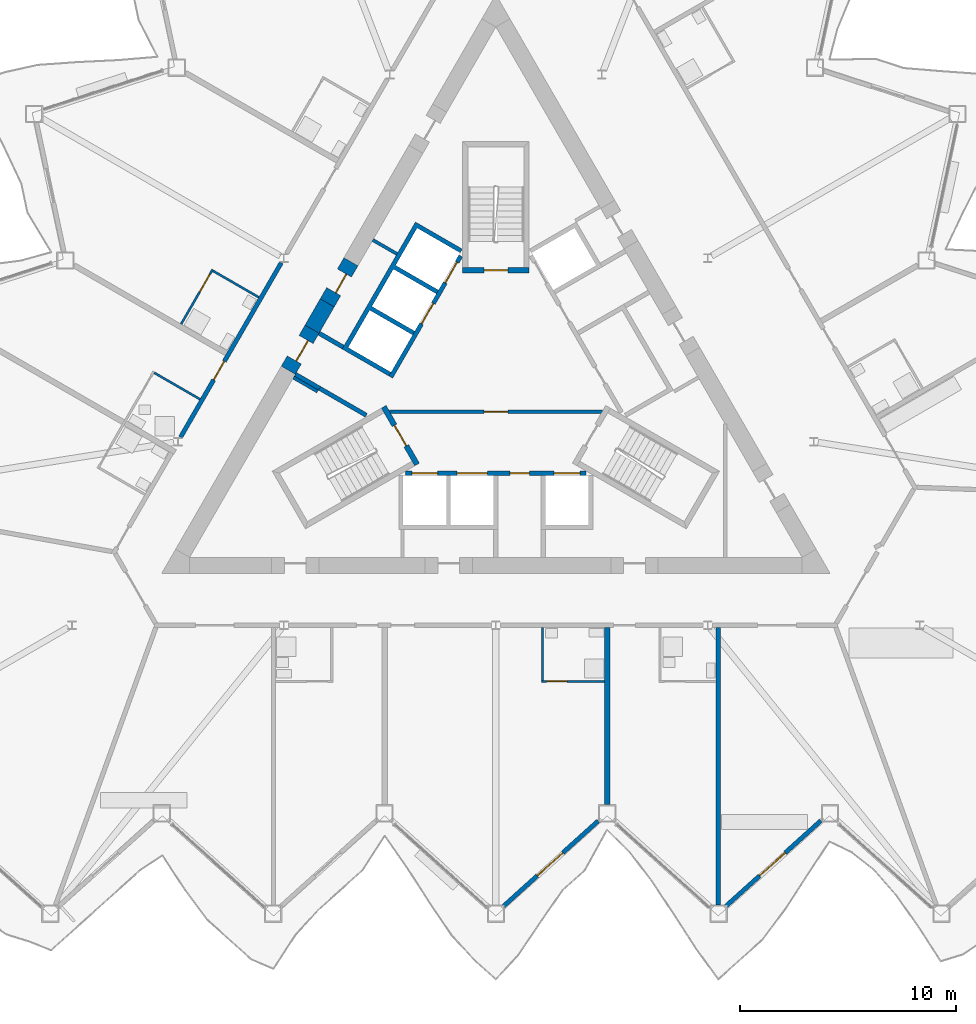
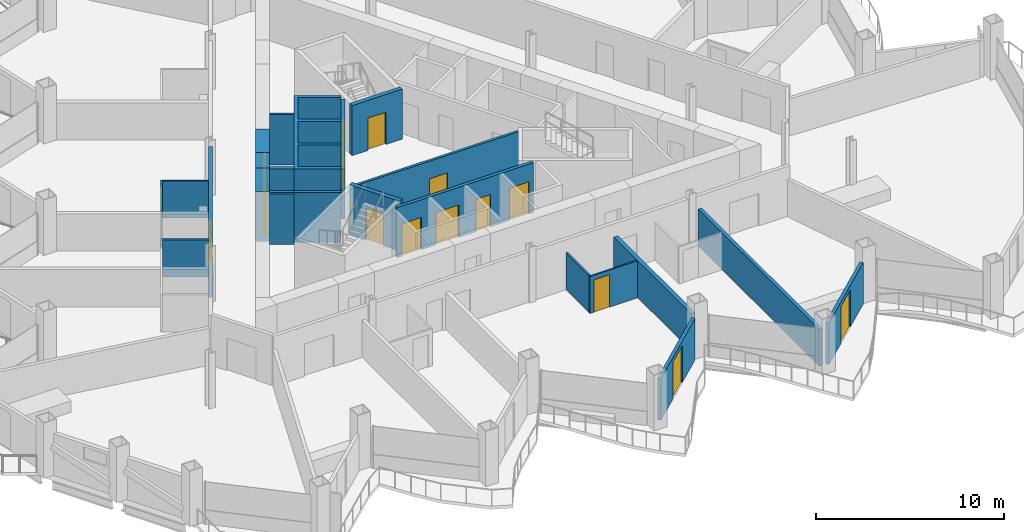
# One storey, part 12 of 23: 24 walls, 16 doors, 16 openings.
"""IFC4 building model written with IfcOpenShell, lengths in metres."""

from ifc_helpers import new_model, si_unit, direction, frame, frame_2d, origin, place, context, subcontext, project, spatial, polyline, rectangle, outline, extrude, material, layer, layer_set, type_object, element, fill, save


model = new_model("IFC4")

# Units and contexts
model_context = context("Model", 3, precision=1e-05, world=origin(), true_north=direction((0.0, 1.0)))
body_context = subcontext(model_context, "Body", "Model", "MODEL_VIEW")
ifc_project = project(units=[si_unit("LENGTHUNIT", "METRE"), si_unit("AREAUNIT", "SQUARE_METRE"), si_unit("VOLUMEUNIT", "CUBIC_METRE"), si_unit("PLANEANGLEUNIT", "RADIAN"), si_unit("MASSUNIT", "GRAM", prefix="KILO")], contexts=[model_context])

# Site, building, storey
site_placement = place(None, origin())
site = spatial("IfcSite", under=ifc_project, at=site_placement, CompositionType="ELEMENT")
building_placement = place(site_placement, origin())
building = spatial("IfcBuilding", under=site, at=building_placement, Name="Cormorant Prow Tower", CompositionType="ELEMENT")
storey_placement = place(building_placement, frame((0.0, 0.0, 208.800048828125)))
storey = spatial("IfcBuildingStorey", under=building, at=storey_placement, Name="L46", CompositionType="ELEMENT", Elevation=208.800048828125)

# Wall, opening, door
ifc_material_1 = material(Name="Gypsum board partition")
ifc_layer_1 = layer(ifc_material_1, 0.14990234375)
ifc_layer_set_1 = layer_set([ifc_layer_1], Name="Gypsum board partition")
wall_type_1 = type_object("IfcWallType", Name="Core partition 150", PredefinedType="PARTITIONING", material=ifc_layer_set_1)
wall_1_placement = place(storey_placement, frame((-4.941162109375, -1.449951171875, 0.0), z_axis=(0.0, 0.0, 1.0), x_axis=(1.0, 0.0, 0.0)))
wall_1 = element("IfcWall", 1, at=wall_1_placement, inside=storey, type_object=wall_type_1, Name="Firefighting lobby partition", PredefinedType="PARTITIONING", context=body_context, shape_type="SweptSolid", body=[
    extrude(rectangle(XDim=9.88232421875, YDim=0.14990234375, at=frame_2d((4.941162109375, 0.0))), origin(), (0.0, 0.0, 1.0), 3.25),
])
opening_1_placement = place(wall_1_placement, frame((4.39111328125, 0.0, 0.0)))
opening_1 = element("IfcOpeningElement", 2, at=opening_1_placement, cuts=wall_1, Name="Opening L46-C10", PredefinedType="OPENING", context=body_context, shape_type="SweptSolid", body=[
    extrude(rectangle(XDim=1.10009765625, YDim=2.10009765625, at=frame_2d((0.550048828125, 1.050048828125))), frame((0.0, 0.0849609375, 0.0), z_axis=(0.0, -1.0, 0.0), x_axis=(1.0, 0.0, 0.0)), (0.0, 0.0, 1.0), 0.169921875),
])
ifc_material_2 = material(Name="Painted steel", Category="steel")
door_type_1 = type_object("IfcDoorType", Name="Firefighting lobby door 1100x2100", OperationType="NOTDEFINED", PredefinedType="DOOR", material=ifc_material_2)
door_1_placement = place(opening_1_placement, origin())
door_1 = element("IfcDoor", 3, at=door_1_placement, inside=storey, type_object=door_type_1, Name="Firefighting lobby door", OperationType="SINGLE_SWING_LEFT", OverallHeight=2.10009765625, OverallWidth=1.10009765625, PredefinedType="DOOR", context=body_context, shape_type="SweptSolid", body=[
    extrude(rectangle(XDim=1.10009765625, YDim=2.10009765625, at=frame_2d((0.550048828125, 1.050048828125))), frame((0.0, 0.02490234375, 0.0), z_axis=(0.0, -1.0, 0.0), x_axis=(1.0, 0.0, 0.0)), (0.0, 0.0, 1.0), 0.050048828125),
])
fill(opening_1, door_1)

# Walls
for number, where, z_axis, x_axis, name in (
    (4, (-8.268310546875, -0.509033203125, 0.0), (0.0, 0.0, 1.0), (-0.866003189247, 0.500038474733, 0.0), "Service room partition"),
    (5, (-5.705322265625, 6.515869140625, 0.0), (0.0, 0.0, 1.0), (0.866003189247, -0.500038474733, 0.0), "Service room partition"),
):
    element("IfcWall", number, at=place(storey_placement, frame(where, z_axis=z_axis, x_axis=x_axis)), inside=storey, type_object=wall_type_1, Name=name, PredefinedType="PARTITIONING", context=body_context, shape_type="SweptSolid", body=[
        extrude(rectangle(XDim=1.29296875, YDim=0.14990234375, at=frame_2d((0.646484375, 0.0))), origin(), (0.0, 0.0, 1.0), 3.25),
    ])
ifc_material_3 = material(Name="Concrete 8000 psi", Category="concrete")
ifc_layer_2 = layer(ifc_material_3, 0.75)
ifc_layer_set_2 = layer_set([ifc_layer_2], Name="Concrete 8000 psi")
wall_type_2 = type_object("IfcWallType", Name="Core shear wall 750", PredefinedType="SHEAR", material=ifc_layer_set_2)
wall_2_placement = place(storey_placement, frame((-7.8212890625, 3.600830078125, 0.0), z_axis=(0.0, 0.0, 1.0), x_axis=(-0.49996263964, -0.866046972724, 0.0)))
element("IfcWall", 6, at=wall_2_placement, inside=storey, type_object=wall_type_2, Name="Core wall", PredefinedType="SHEAR", context=body_context, shape_type="SweptSolid", body=[
    extrude(rectangle(XDim=1.40771484375, YDim=0.75, at=frame_2d((0.703857421875, 0.0))), origin(), (0.0, 0.0, 1.0), 3.25),
])

# Wall, opening, door
wall_3_placement = place(storey_placement, frame((-6.721435546875, 5.506103515625, 0.0), z_axis=(0.0, 0.0, 1.0), x_axis=(-0.499946605688, -0.86605622881, 0.0)))
wall_3 = element("IfcWall", 7, at=wall_3_placement, inside=storey, type_object=wall_type_2, Name="Core wall door panel", PredefinedType="SHEAR", context=body_context, shape_type="SweptSolid", body=[
    extrude(rectangle(XDim=2.199951171875, YDim=0.75, at=frame_2d((1.10009765625, 0.0))), origin(), (0.0, 0.0, 1.0), 3.25),
])
opening_2_placement = place(wall_3_placement, frame((0.60009765625, 0.0, 0.0)))
opening_2 = element("IfcOpeningElement", 8, at=opening_2_placement, cuts=wall_3, Name="Opening L46-C19", PredefinedType="OPENING", context=body_context, shape_type="SweptSolid", body=[
    extrude(rectangle(XDim=1.0, YDim=2.10009765625, at=frame_2d((0.5, 1.050048828125))), frame((0.0, 0.385009765625, 0.0), z_axis=(0.0, -1.0, 0.0), x_axis=(1.0, 0.0, 0.0)), (0.0, 0.0, 1.0), 0.77001953125),
])
ifc_material_4 = material(Name="Painted steel", Category="steel")
door_type_2 = type_object("IfcDoorType", Name="Service door 1000x2100", OperationType="NOTDEFINED", PredefinedType="DOOR", material=ifc_material_4)
door_2_placement = place(opening_2_placement, origin())
door_2 = element("IfcDoor", 9, at=door_2_placement, inside=storey, type_object=door_type_2, Name="Core door, Electrical room", OperationType="SINGLE_SWING_LEFT", OverallHeight=2.10009765625, OverallWidth=1.0, PredefinedType="DOOR", context=body_context, shape_type="SweptSolid", body=[
    extrude(rectangle(XDim=1.0, YDim=2.10009765625, at=frame_2d((0.5, 1.050048828125))), frame((0.0, 0.1298828125, 0.0), z_axis=(0.0, -1.0, 0.0), x_axis=(1.0, 0.0, 0.0)), (0.0, 0.0, 1.0), 0.050048828125),
])
fill(opening_2, door_2)

wall_4_placement = place(storey_placement, frame((-8.525146484375, 2.381591796875, 0.0), z_axis=(0.0, 0.0, 1.0), x_axis=(-0.500077893725, -0.86598042715, 0.0)))
wall_4 = element("IfcWall", 10, at=wall_4_placement, inside=storey, type_object=wall_type_2, Name="Core wall door panel", PredefinedType="SHEAR", context=body_context, shape_type="SweptSolid", body=[
    extrude(rectangle(XDim=2.199951171875, YDim=0.75, at=frame_2d((1.10009765625, 0.0))), origin(), (0.0, 0.0, 1.0), 3.25),
])
opening_3_placement = place(wall_4_placement, frame((0.550048828125, 0.0, 0.0)))
opening_3 = element("IfcOpeningElement", 11, at=opening_3_placement, cuts=wall_4, Name="Opening L46-C22", PredefinedType="OPENING", context=body_context, shape_type="SweptSolid", body=[
    extrude(rectangle(XDim=1.10009765625, YDim=2.10009765625, at=frame_2d((0.550048828125, 1.050048828125))), frame((0.0, 0.385009765625, 0.0), z_axis=(0.0, -1.0, 0.0), x_axis=(1.0, 0.0, 0.0)), (0.0, 0.0, 1.0), 0.77001953125),
])
ifc_material_5 = material(Name="Painted steel", Category="steel")
door_type_3 = type_object("IfcDoorType", Name="Core door 1100x2100", OperationType="NOTDEFINED", PredefinedType="DOOR", material=ifc_material_5)
door_3_placement = place(opening_3_placement, origin())
door_3 = element("IfcDoor", 12, at=door_3_placement, inside=storey, type_object=door_type_3, Name="Core door, lift lobby", OperationType="SINGLE_SWING_RIGHT", OverallHeight=2.10009765625, OverallWidth=1.10009765625, PredefinedType="DOOR", context=body_context, shape_type="SweptSolid", body=[
    extrude(rectangle(XDim=1.10009765625, YDim=2.10009765625, at=frame_2d((0.550048828125, 1.050048828125))), frame((0.0, 0.1298828125, 0.0), z_axis=(0.0, -1.0, 0.0), x_axis=(1.0, 0.0, 0.0)), (0.0, 0.0, 1.0), 0.050048828125),
])
fill(opening_3, door_3)

ifc_material_6 = material(Name="Gypsum board corridor wall")
ifc_layer_3 = layer(ifc_material_6, 0.199951171875)
ifc_layer_set_3 = layer_set([ifc_layer_3], Name="Gypsum board corridor wall")
wall_type_3 = type_object("IfcWallType", Name="Corridor wall 200", PredefinedType="PARTITIONING", material=ifc_layer_set_3)
wall_5_placement = place(storey_placement, frame((-14.619384765625, -2.62353515625, 0.0), z_axis=(0.0, 0.0, 1.0), x_axis=(0.50000393355, 0.866023132736, 0.0)))
wall_5 = element("IfcWall", 13, at=wall_5_placement, inside=storey, type_object=wall_type_3, Name="Corridor wall", PredefinedType="PARTITIONING", context=body_context, shape_type="SweptSolid", body=[
    extrude(rectangle(XDim=9.3349609375, YDim=0.199951171875, at=frame_2d((4.66748046875, 0.0))), origin(), (0.0, 0.0, 1.0), 3.25),
])
opening_4_placement = place(wall_5_placement, frame((3.0625, 0.0, 0.0)))
opening_4 = element("IfcOpeningElement", 14, at=opening_4_placement, cuts=wall_5, Name="Opening L46-F23", PredefinedType="OPENING", context=body_context, shape_type="SweptSolid", body=[
    extrude(rectangle(XDim=1.0, YDim=2.10009765625, at=frame_2d((0.5, 1.050048828125))), frame((0.0, 0.10986328125, 0.0), z_axis=(0.0, -1.0, 0.0), x_axis=(1.0, 0.0, 0.0)), (0.0, 0.0, 1.0), 0.219970703125),
])
ifc_material_7 = material(Name="Timber door leaf", Category="wood")
door_type_4 = type_object("IfcDoorType", Name="Flat or room entrance door 1000x2100", OperationType="NOTDEFINED", PredefinedType="DOOR", material=ifc_material_7)
door_4_placement = place(opening_4_placement, origin())
door_4 = element("IfcDoor", 15, at=door_4_placement, inside=storey, type_object=door_type_4, Name="Guest room door", OperationType="SINGLE_SWING_RIGHT", OverallHeight=2.10009765625, OverallWidth=1.0, PredefinedType="DOOR", context=body_context, shape_type="SweptSolid", body=[
    extrude(rectangle(XDim=1.0, YDim=2.10009765625, at=frame_2d((0.5, 1.050048828125))), frame((0.0, 0.02490234375, 0.0), z_axis=(0.0, -1.0, 0.0), x_axis=(1.0, 0.0, 0.0)), (0.0, 0.0, 1.0), 0.050048828125),
])
fill(opening_4, door_4)

# Wall
ifc_material_8 = material(Name="Gypsum board demising wall")
ifc_layer_4 = layer(ifc_material_8, 0.199951171875)
ifc_layer_set_4 = layer_set([ifc_layer_4], Name="Gypsum board demising wall")
wall_type_4 = type_object("IfcWallType", Name="Demising wall 200", PredefinedType="PARTITIONING", material=ifc_layer_set_4)
wall_6_placement = place(storey_placement, frame((10.311279296875, -24.3115234375, 0.0), z_axis=(0.0, 0.0, 1.0), x_axis=(0.0, 1.0, 0.0)))
element("IfcWall", 16, at=wall_6_placement, inside=storey, type_object=wall_type_4, Name="Demising wall", PredefinedType="PARTITIONING", context=body_context, shape_type="SweptSolid", body=[
    extrude(rectangle(XDim=12.862548828125, YDim=0.199951171875, at=frame_2d((6.43115234375, 0.0))), origin(), (0.0, 0.0, 1.0), 2.404052734375),
])

# Wall, opening, door
ifc_material_9 = material(Name="Gypsum board partition")
ifc_layer_5 = layer(ifc_material_9, 0.10009765625)
ifc_layer_set_5 = layer_set([ifc_layer_5], Name="Gypsum board partition")
wall_type_5 = type_object("IfcWallType", Name="Internal partition 100", PredefinedType="PARTITIONING", material=ifc_layer_set_5)
wall_7_placement = place(storey_placement, frame((2.105712890625, -13.948974609375, 0.0), z_axis=(0.0, 0.0, 1.0), x_axis=(1.0, 0.0, 0.0)))
wall_7 = element("IfcWall", 17, at=wall_7_placement, inside=storey, type_object=wall_type_5, Name="Internal partition", PredefinedType="PARTITIONING", context=body_context, shape_type="SweptSolid", body=[
    extrude(rectangle(XDim=2.9248046875, YDim=0.10009765625, at=frame_2d((1.46240234375, 0.0))), origin(), (0.0, 0.0, 1.0), 2.404052734375),
])
opening_5_placement = place(wall_7_placement, frame((0.25, 0.0, 0.0)))
opening_5 = element("IfcOpeningElement", 18, at=opening_5_placement, cuts=wall_7, Name="Opening L46-F05", PredefinedType="OPENING", context=body_context, shape_type="SweptSolid", body=[
    extrude(rectangle(XDim=0.949951171875, YDim=2.10009765625, at=frame_2d((0.47509765625, 1.050048828125))), frame((0.0, 0.06005859375, 0.0), z_axis=(0.0, -1.0, 0.0), x_axis=(1.0, 0.0, 0.0)), (0.0, 0.0, 1.0), 0.1201171875),
])
ifc_material_10 = material(Name="Timber door leaf", Category="wood")
door_type_5 = type_object("IfcDoorType", Name="Bathroom door 950x2100", OperationType="NOTDEFINED", PredefinedType="DOOR", material=ifc_material_10)
door_5_placement = place(opening_5_placement, origin())
door_5 = element("IfcDoor", 19, at=door_5_placement, inside=storey, type_object=door_type_5, Name="Junior suite door", OperationType="SINGLE_SWING_LEFT", OverallHeight=2.10009765625, OverallWidth=0.949951171875, PredefinedType="DOOR", context=body_context, shape_type="SweptSolid", body=[
    extrude(rectangle(XDim=0.949951171875, YDim=2.10009765625, at=frame_2d((0.47509765625, 1.050048828125))), frame((0.0, 0.02490234375, 0.0), z_axis=(0.0, -1.0, 0.0), x_axis=(1.0, 0.0, 0.0)), (0.0, 0.0, 1.0), 0.050048828125),
])
fill(opening_5, door_5)

wall_8_placement = place(storey_placement, frame((-14.595458984375, 2.617919921875, 0.0), z_axis=(0.0, 0.0, 1.0), x_axis=(0.500062034277, 0.865989585315, 0.0)))
wall_8 = element("IfcWall", 20, at=wall_8_placement, inside=storey, type_object=wall_type_5, Name="Internal partition", PredefinedType="PARTITIONING", context=body_context, shape_type="SweptSolid", body=[
    extrude(rectangle(XDim=2.925048828125, YDim=0.10009765625, at=frame_2d((1.46240234375, 0.0))), origin(), (0.0, 0.0, 1.0), 2.404052734375),
])
opening_6_placement = place(wall_8_placement, frame((1.72509765625, 0.0, 0.0)))
opening_6 = element("IfcOpeningElement", 21, at=opening_6_placement, cuts=wall_8, Name="Opening L46-F22", PredefinedType="OPENING", context=body_context, shape_type="SweptSolid", body=[
    extrude(rectangle(XDim=0.949951171875, YDim=2.10009765625, at=frame_2d((0.47509765625, 1.050048828125))), frame((0.0, 0.06005859375, 0.0), z_axis=(0.0, -1.0, 0.0), x_axis=(1.0, 0.0, 0.0)), (0.0, 0.0, 1.0), 0.1201171875),
])
door_6_placement = place(opening_6_placement, origin())
door_6 = element("IfcDoor", 22, at=door_6_placement, inside=storey, type_object=door_type_5, Name="Junior suite door", OperationType="SINGLE_SWING_RIGHT", OverallHeight=2.10009765625, OverallWidth=0.949951171875, PredefinedType="DOOR", context=body_context, shape_type="SweptSolid", body=[
    extrude(rectangle(XDim=0.949951171875, YDim=2.10009765625, at=frame_2d((0.47509765625, 1.050048828125))), frame((0.0, 0.02490234375, 0.0), z_axis=(0.0, -1.0, 0.0), x_axis=(1.0, 0.0, 0.0)), (0.0, 0.0, 1.0), 0.050048828125),
])
fill(opening_6, door_6)

# Walls
wall_9_placement = place(storey_placement, frame((-15.842529296875, 0.35791015625, 0.0), z_axis=(0.0, 0.0, 1.0), x_axis=(0.866014668023, -0.500018594424, 0.0)))
element("IfcWall", 23, at=wall_9_placement, inside=storey, type_object=wall_type_5, Name="Internal partition", PredefinedType="PARTITIONING", context=body_context, shape_type="SweptSolid", body=[
    extrude(rectangle(XDim=2.4501953125, YDim=0.10009765625, at=frame_2d((1.22509765625, 0.0))), origin(), (0.0, 0.0, 1.0), 2.404052734375),
])
wall_10_placement = place(storey_placement, frame((-13.114501953125, 5.08251953125, 0.0), z_axis=(0.0, 0.0, 1.0), x_axis=(0.866032905446, -0.499987006516, 0.0)))
element("IfcWall", 24, at=wall_10_placement, inside=storey, type_object=wall_type_5, Name="Internal partition", PredefinedType="PARTITIONING", context=body_context, shape_type="SweptSolid", body=[
    extrude(rectangle(XDim=2.44970703125, YDim=0.10009765625, at=frame_2d((1.224853515625, 0.0))), origin(), (0.0, 0.0, 1.0), 2.404052734375),
])
wall_11_placement = place(storey_placement, frame((2.155517578125, -13.89892578125, 0.0), z_axis=(0.0, 0.0, 1.0), x_axis=(0.0, 1.0, 0.0)))
element("IfcWall", 25, at=wall_11_placement, inside=storey, type_object=wall_type_5, Name="Internal partition", PredefinedType="PARTITIONING", context=body_context, shape_type="SweptSolid", body=[
    extrude(rectangle(XDim=2.449951171875, YDim=0.10009765625, at=frame_2d((1.22509765625, 0.0))), origin(), (0.0, 0.0, 1.0), 2.404052734375),
])

# Wall, openings, doors
ifc_material_11 = material(Name="Concrete 5000 psi", Category="concrete")
ifc_layer_6 = layer(ifc_material_11, 0.199951171875)
ifc_layer_set_6 = layer_set([ifc_layer_6], Name="Concrete 5000 psi")
wall_type_6 = type_object("IfcWallType", Name="Lift lobby wall 200", PredefinedType="SOLIDWALL", material=ifc_layer_set_6)
wall_12_placement = place(storey_placement, frame((-4.1865234375, -4.300048828125, 0.0), z_axis=(0.0, 0.0, 1.0), x_axis=(1.0, 0.0, 0.0)))
wall_12 = element("IfcWall", 26, at=wall_12_placement, inside=storey, type_object=wall_type_6, Name="Lift lobby wall, S block", PredefinedType="SOLIDWALL", context=body_context, shape_type="SweptSolid", body=[
    extrude(rectangle(XDim=8.373046875, YDim=0.199951171875, at=frame_2d((4.1865234375, 0.0))), origin(), (0.0, 0.0, 1.0), 3.25),
])
opening_7_placement = place(wall_12_placement, frame((0.28662109375, 0.0, 0.0)))
opening_7 = element("IfcOpeningElement", 27, at=opening_7_placement, cuts=wall_12, Name="Opening L46-C01", PredefinedType="OPENING", context=body_context, shape_type="SweptSolid", body=[
    extrude(rectangle(XDim=1.199951171875, YDim=2.10009765625, at=frame_2d((0.60009765625, 1.050048828125))), frame((0.0, 0.10986328125, 0.0), z_axis=(0.0, -1.0, 0.0), x_axis=(1.0, 0.0, 0.0)), (0.0, 0.0, 1.0), 0.219970703125),
])
opening_8_placement = place(wall_12_placement, frame((2.38671875, 0.0, 0.0)))
opening_8 = element("IfcOpeningElement", 28, at=opening_8_placement, cuts=wall_12, Name="Opening L46-C02", PredefinedType="OPENING", context=body_context, shape_type="SweptSolid", body=[
    extrude(rectangle(XDim=1.39990234375, YDim=2.10009765625, at=frame_2d((0.699951171875, 1.050048828125))), frame((0.0, 0.10986328125, 0.0), z_axis=(0.0, -1.0, 0.0), x_axis=(1.0, 0.0, 0.0)), (0.0, 0.0, 1.0), 0.219970703125),
])
opening_9_placement = place(wall_12_placement, frame((4.836669921875, 0.0, 0.0)))
opening_9 = element("IfcOpeningElement", 29, at=opening_9_placement, cuts=wall_12, Name="Opening L46-C03", PredefinedType="OPENING", context=body_context, shape_type="SweptSolid", body=[
    extrude(rectangle(XDim=0.89990234375, YDim=2.10009765625, at=frame_2d((0.449951171875, 1.050048828125))), frame((0.0, 0.10986328125, 0.0), z_axis=(0.0, -1.0, 0.0), x_axis=(1.0, 0.0, 0.0)), (0.0, 0.0, 1.0), 0.219970703125),
])
opening_10_placement = place(wall_12_placement, frame((6.88671875, 0.0, 0.0)))
opening_10 = element("IfcOpeningElement", 30, at=opening_10_placement, cuts=wall_12, Name="Opening L46-C04", PredefinedType="OPENING", context=body_context, shape_type="SweptSolid", body=[
    extrude(rectangle(XDim=1.199951171875, YDim=2.10009765625, at=frame_2d((0.60009765625, 1.050048828125))), frame((0.0, 0.10986328125, 0.0), z_axis=(0.0, -1.0, 0.0), x_axis=(1.0, 0.0, 0.0)), (0.0, 0.0, 1.0), 0.219970703125),
])
ifc_material_12 = material(Name="Painted steel", Category="steel")
door_type_6 = type_object("IfcDoorType", Name="Firefighting lift landing door 1200x2100", OperationType="SLIDING_TO_LEFT", PredefinedType="DOOR", material=ifc_material_12)
door_7_placement = place(opening_7_placement, origin())
door_7 = element("IfcDoor", 31, at=door_7_placement, inside=storey, type_object=door_type_6, Name="Landing door FL1", OperationType="SLIDING_TO_LEFT", OverallHeight=2.10009765625, OverallWidth=1.199951171875, PredefinedType="DOOR", context=body_context, shape_type="SweptSolid", body=[
    extrude(rectangle(XDim=1.199951171875, YDim=2.10009765625, at=frame_2d((0.60009765625, 1.050048828125))), frame((0.0, 0.02490234375, 0.0), z_axis=(0.0, -1.0, 0.0), x_axis=(1.0, 0.0, 0.0)), (0.0, 0.0, 1.0), 0.050048828125),
])
fill(opening_7, door_7)
door_8_placement = place(opening_10_placement, origin())
door_8 = element("IfcDoor", 32, at=door_8_placement, inside=storey, type_object=door_type_6, Name="Landing door FL2", OperationType="SLIDING_TO_LEFT", OverallHeight=2.10009765625, OverallWidth=1.199951171875, PredefinedType="DOOR", context=body_context, shape_type="SweptSolid", body=[
    extrude(rectangle(XDim=1.199951171875, YDim=2.10009765625, at=frame_2d((0.60009765625, 1.050048828125))), frame((0.0, 0.02490234375, 0.0), z_axis=(0.0, -1.0, 0.0), x_axis=(1.0, 0.0, 0.0)), (0.0, 0.0, 1.0), 0.050048828125),
])
fill(opening_10, door_8)
ifc_material_13 = material(Name="Painted steel", Category="steel")
door_type_7 = type_object("IfcDoorType", Name="Service door 900x2100", OperationType="NOTDEFINED", PredefinedType="DOOR", material=ifc_material_13)
door_9_placement = place(opening_9_placement, origin())
door_9 = element("IfcDoor", 33, at=door_9_placement, inside=storey, type_object=door_type_7, Name="Service door, Linen store", OperationType="SINGLE_SWING_RIGHT", OverallHeight=2.10009765625, OverallWidth=0.89990234375, PredefinedType="DOOR", context=body_context, shape_type="SweptSolid", body=[
    extrude(rectangle(XDim=0.89990234375, YDim=2.10009765625, at=frame_2d((0.449951171875, 1.050048828125))), frame((0.0, 0.02490234375, 0.0), z_axis=(0.0, -1.0, 0.0), x_axis=(1.0, 0.0, 0.0)), (0.0, 0.0, 1.0), 0.050048828125),
])
fill(opening_9, door_9)
ifc_material_14 = material(Name="Painted steel", Category="steel")
door_type_8 = type_object("IfcDoorType", Name="Service lift landing door 1400x2100", OperationType="SLIDING_TO_LEFT", PredefinedType="DOOR", material=ifc_material_14)
door_10_placement = place(opening_8_placement, origin())
door_10 = element("IfcDoor", 34, at=door_10_placement, inside=storey, type_object=door_type_8, Name="Landing door SL1", OperationType="SLIDING_TO_LEFT", OverallHeight=2.10009765625, OverallWidth=1.39990234375, PredefinedType="DOOR", context=body_context, shape_type="SweptSolid", body=[
    extrude(rectangle(XDim=1.39990234375, YDim=2.10009765625, at=frame_2d((0.699951171875, 1.050048828125))), frame((0.0, 0.02490234375, 0.0), z_axis=(0.0, -1.0, 0.0), x_axis=(1.0, 0.0, 0.0)), (0.0, 0.0, 1.0), 0.050048828125),
])
fill(opening_8, door_10)

wall_13_placement = place(storey_placement, frame((-1.630615234375, 5.775634765625, 0.0), z_axis=(0.0, 0.0, 1.0), x_axis=(-0.499992876559, -0.866029516466, 0.0)))
wall_13 = element("IfcWall", 35, at=wall_13_placement, inside=storey, type_object=wall_type_6, Name="Lift lobby wall, WNW block", PredefinedType="SOLIDWALL", context=body_context, shape_type="SweptSolid", body=[
    extrude(rectangle(XDim=6.486328125, YDim=0.199951171875, at=frame_2d((3.2431640625, 0.0))), origin(), (0.0, 0.0, 1.0), 3.25),
])
opening_11_placement = place(wall_13_placement, frame((0.336669921875, 0.0, 0.0)))
opening_11 = element("IfcOpeningElement", 36, at=opening_11_placement, cuts=wall_13, Name="Opening L46-C08", PredefinedType="OPENING", context=body_context, shape_type="SweptSolid", body=[
    extrude(rectangle(XDim=1.10009765625, YDim=2.10009765625, at=frame_2d((0.550048828125, 1.050048828125))), frame((0.0, 0.10986328125, 0.0), z_axis=(0.0, -1.0, 0.0), x_axis=(1.0, 0.0, 0.0)), (0.0, 0.0, 1.0), 0.219970703125),
])
opening_12_placement = place(wall_13_placement, frame((2.53662109375, 0.0, 0.0)))
opening_12 = element("IfcOpeningElement", 37, at=opening_12_placement, cuts=wall_13, Name="Opening L46-C09", PredefinedType="OPENING", context=body_context, shape_type="SweptSolid", body=[
    extrude(rectangle(XDim=1.10009765625, YDim=2.10009765625, at=frame_2d((0.550048828125, 1.050048828125))), frame((0.0, 0.10986328125, 0.0), z_axis=(0.0, -1.0, 0.0), x_axis=(1.0, 0.0, 0.0)), (0.0, 0.0, 1.0), 0.219970703125),
])
ifc_material_15 = material(Name="Painted steel", Category="steel")
door_type_9 = type_object("IfcDoorType", Name="Lift landing door 1100x2100", OperationType="SLIDING_TO_LEFT", PredefinedType="DOOR", material=ifc_material_15)
door_11_placement = place(opening_11_placement, origin())
door_11 = element("IfcDoor", 38, at=door_11_placement, inside=storey, type_object=door_type_9, Name="Landing door MR2", OperationType="SLIDING_TO_LEFT", OverallHeight=2.10009765625, OverallWidth=1.10009765625, PredefinedType="DOOR", context=body_context, shape_type="SweptSolid", body=[
    extrude(rectangle(XDim=1.10009765625, YDim=2.10009765625, at=frame_2d((0.550048828125, 1.050048828125))), frame((0.0, 0.02490234375, 0.0), z_axis=(0.0, -1.0, 0.0), x_axis=(1.0, 0.0, 0.0)), (0.0, 0.0, 1.0), 0.050048828125),
])
fill(opening_11, door_11)
door_12_placement = place(opening_12_placement, origin())
door_12 = element("IfcDoor", 39, at=door_12_placement, inside=storey, type_object=door_type_9, Name="Landing door MR3", OperationType="SLIDING_TO_LEFT", OverallHeight=2.10009765625, OverallWidth=1.10009765625, PredefinedType="DOOR", context=body_context, shape_type="SweptSolid", body=[
    extrude(rectangle(XDim=1.10009765625, YDim=2.10009765625, at=frame_2d((0.550048828125, 1.050048828125))), frame((0.0, 0.02490234375, 0.0), z_axis=(0.0, -1.0, 0.0), x_axis=(1.0, 0.0, 0.0)), (0.0, 0.0, 1.0), 0.050048828125),
])
fill(opening_12, door_12)

# Walls
ifc_material_16 = material(Name="Concrete 8000 psi", Category="concrete")
ifc_layer_7 = layer(ifc_material_16, 0.199951171875)
ifc_layer_set_7 = layer_set([ifc_layer_7], Name="Concrete 8000 psi")
wall_type_7 = type_object("IfcWallType", Name="Lift shaft wall 200", PredefinedType="SHEAR", material=ifc_layer_set_7)
wall_14_placement = place(storey_placement, origin())
element("IfcWall", 40, at=wall_14_placement, inside=storey, type_object=wall_type_7, Name="Lift shaft walls, WNW block", PredefinedType="SHEAR", context=body_context, shape_type="SweptSolid", body=[
    extrude(outline(polyline([(-6.060546875, -1.697021484375), (-8.230712890625, -0.444091796875), (-8.130859375, -0.27099609375), (-5.96044921875, -1.52392578125), (-6.060546875, -1.697021484375)])), origin(), (0.0, 0.0, 1.0), 3.25),
])
wall_15_placement = place(storey_placement, origin())
element("IfcWall", 41, at=wall_15_placement, inside=storey, type_object=wall_type_7, Name="Lift shaft walls, WNW block", PredefinedType="SHEAR", context=body_context, shape_type="SweptSolid", body=[
    extrude(outline(polyline([(-4.96044921875, 0.2080078125), (-7.130859375, 1.461181640625), (-3.730712890625, 7.35009765625), (-1.560546875, 6.09716796875), (-1.660400390625, 5.923828125), (-3.65234375, 7.073974609375), (-4.65234375, 5.341796875), (-2.660400390625, 4.19189453125), (-2.760498046875, 4.018798828125), (-4.75244140625, 5.168701171875), (-5.75244140625, 3.4365234375), (-3.760498046875, 2.28662109375), (-3.860595703125, 2.11328125), (-5.852294921875, 3.263427734375), (-6.852294921875, 1.53125), (-4.860595703125, 0.38134765625), (-4.96044921875, 0.2080078125)])), origin(), (0.0, 0.0, 1.0), 3.25),
])
for number, where, z_axis, x_axis, name in (
    (42, (-7.080810546875, 1.547607421875, 0.0), (0.0, 0.0, 1.0), (-0.866003189247, 0.500038474733, 0.0), "Lobby passage wall"),
    (43, (-8.180908203125, -0.357421875, 0.0), (0.0, 0.0, 1.0), (-0.866003189247, 0.500038474733, 0.0), "Lobby passage wall"),
):
    element("IfcWall", number, at=place(storey_placement, frame(where, z_axis=z_axis, x_axis=x_axis)), inside=storey, type_object=wall_type_7, Name=name, PredefinedType="SHEAR", context=body_context, shape_type="SweptSolid", body=[
        extrude(rectangle(XDim=1.29296875, YDim=0.199951171875, at=frame_2d((0.646484375, 0.0))), origin(), (0.0, 0.0, 1.0), 3.25),
    ])

# Wall, opening, door
ifc_material_17 = material(Name="Concrete 8000 psi", Category="concrete")
ifc_layer_8 = layer(ifc_material_17, 0.25)
ifc_layer_set_8 = layer_set([ifc_layer_8], Name="Concrete 8000 psi")
wall_type_8 = type_object("IfcWallType", Name="Stair wall 250", PredefinedType="SHEAR", material=ifc_layer_set_8)
wall_16_placement = place(storey_placement, frame((-5.198974609375, -1.21875, 0.0), z_axis=(0.0, 0.0, 1.0), x_axis=(0.499982516597, -0.866035497597, 0.0)))
wall_16 = element("IfcWall", 44, at=wall_16_placement, inside=storey, type_object=wall_type_8, Name="Stair ST1 door wall", PredefinedType="SHEAR", context=body_context, shape_type="SweptSolid", body=[
    extrude(rectangle(XDim=3.087890625, YDim=0.25, at=frame_2d((1.5439453125, 0.0))), origin(), (0.0, 0.0, 1.0), 3.25),
])
opening_13_placement = place(wall_16_placement, frame((0.993896484375, 0.0, 0.0)))
opening_13 = element("IfcOpeningElement", 45, at=opening_13_placement, cuts=wall_16, Name="Opening L46-C11", PredefinedType="OPENING", context=body_context, shape_type="SweptSolid", body=[
    extrude(rectangle(XDim=1.10009765625, YDim=2.10009765625, at=frame_2d((0.550048828125, 1.050048828125))), frame((0.0, 0.135009765625, 0.0), z_axis=(0.0, -1.0, 0.0), x_axis=(1.0, 0.0, 0.0)), (0.0, 0.0, 1.0), 0.27001953125),
])
ifc_material_18 = material(Name="Painted steel", Category="steel")
door_type_10 = type_object("IfcDoorType", Name="Stair door 1100x2100", OperationType="NOTDEFINED", PredefinedType="DOOR", material=ifc_material_18)
door_13_placement = place(opening_13_placement, origin())
door_13 = element("IfcDoor", 46, at=door_13_placement, inside=storey, type_object=door_type_10, Name="Stair ST1 door", OperationType="SINGLE_SWING_LEFT", OverallHeight=2.10009765625, OverallWidth=1.10009765625, PredefinedType="DOOR", context=body_context, shape_type="SweptSolid", body=[
    extrude(rectangle(XDim=1.10009765625, YDim=2.10009765625, at=frame_2d((0.550048828125, 1.050048828125))), frame((0.0, 0.02490234375, 0.0), z_axis=(0.0, -1.0, 0.0), x_axis=(1.0, 0.0, 0.0)), (0.0, 0.0, 1.0), 0.050048828125),
])
fill(opening_13, door_13)

wall_17_placement = place(storey_placement, frame((1.5439453125, 5.11181640625, 0.0), z_axis=(0.0, 0.0, 1.0), x_axis=(-1.0, 0.0, 0.0)))
wall_17 = element("IfcWall", 47, at=wall_17_placement, inside=storey, type_object=wall_type_8, Name="Stair ST3 door wall", PredefinedType="SHEAR", context=body_context, shape_type="SweptSolid", body=[
    extrude(rectangle(XDim=3.087890625, YDim=0.25, at=frame_2d((1.5439453125, 0.0))), origin(), (0.0, 0.0, 1.0), 3.25),
])
opening_14_placement = place(wall_17_placement, frame((0.993896484375, 0.0, 0.0)))
opening_14 = element("IfcOpeningElement", 48, at=opening_14_placement, cuts=wall_17, Name="Opening L46-C13", PredefinedType="OPENING", context=body_context, shape_type="SweptSolid", body=[
    extrude(rectangle(XDim=1.10009765625, YDim=2.10009765625, at=frame_2d((0.550048828125, 1.050048828125))), frame((0.0, 0.135009765625, 0.0), z_axis=(0.0, -1.0, 0.0), x_axis=(1.0, 0.0, 0.0)), (0.0, 0.0, 1.0), 0.27001953125),
])
door_14_placement = place(opening_14_placement, origin())
door_14 = element("IfcDoor", 49, at=door_14_placement, inside=storey, type_object=door_type_10, Name="Stair ST3 door", OperationType="SINGLE_SWING_LEFT", OverallHeight=2.10009765625, OverallWidth=1.10009765625, PredefinedType="DOOR", context=body_context, shape_type="SweptSolid", body=[
    extrude(rectangle(XDim=1.10009765625, YDim=2.10009765625, at=frame_2d((0.550048828125, 1.050048828125))), frame((0.0, 0.02490234375, 0.0), z_axis=(0.0, -1.0, 0.0), x_axis=(1.0, 0.0, 0.0)), (0.0, 0.0, 1.0), 0.050048828125),
])
fill(opening_14, door_14)

# Wall
ifc_material_19 = material(Name="Acoustic gypsum party wall")
ifc_layer_9 = layer(ifc_material_19, 0.25)
ifc_layer_set_9 = layer_set([ifc_layer_9], Name="Acoustic gypsum party wall")
wall_type_9 = type_object("IfcWallType", Name="Suite party wall 250", PredefinedType="PARTITIONING", material=ifc_layer_set_9)
wall_18_placement = place(storey_placement, frame((5.155517578125, -19.661376953125, 0.0), z_axis=(0.0, 0.0, 1.0), x_axis=(0.0, 1.0, 0.0)))
element("IfcWall", 50, at=wall_18_placement, inside=storey, type_object=wall_type_9, Name="Suite party wall", PredefinedType="PARTITIONING", context=body_context, shape_type="SweptSolid", body=[
    extrude(rectangle(XDim=8.21240234375, YDim=0.25, at=frame_2d((4.106201171875, 0.0))), origin(), (0.0, 0.0, 1.0), 2.404052734375),
])

# Wall, opening, door
ifc_material_20 = material(Name="Terracotta", Category="masonry")
ifc_layer_10 = layer(ifc_material_20, 0.199951171875)
ifc_layer_set_10 = layer_set([ifc_layer_10], Name="Terracotta")
wall_type_10 = type_object("IfcWallType", Name="Terracotta jamb wall 200", PredefinedType="SOLIDWALL", material=ifc_layer_set_10)
wall_19_placement = place(storey_placement, frame((0.355224609375, -24.37255859375, 0.0), z_axis=(0.0, 0.0, 1.0), x_axis=(0.743166509731, 0.669106522771, 0.0)))
wall_19 = element("IfcWall", 51, at=wall_19_placement, inside=storey, type_object=wall_type_10, Name="Terracotta jamb wall S05", PredefinedType="SOLIDWALL", context=body_context, shape_type="SweptSolid", body=[
    extrude(rectangle(XDim=5.8974609375, YDim=0.199951171875, at=frame_2d((2.94873046875, 0.0))), origin(), (0.0, 0.0, 1.0), 2.700927734375),
])
opening_15_placement = place(wall_19_placement, frame((2.100830078125, 0.0, 0.0)))
opening_15 = element("IfcOpeningElement", 52, at=opening_15_placement, cuts=wall_19, Name="Opening ED46.03", PredefinedType="OPENING", context=body_context, shape_type="SweptSolid", body=[
    extrude(rectangle(XDim=1.60009765625, YDim=2.39990234375, at=frame_2d((0.800048828125, 1.199951171875))), frame((0.0, 0.10986328125, 0.0), z_axis=(0.0, -1.0, 0.0), x_axis=(1.0, 0.0, 0.0)), (0.0, 0.0, 1.0), 0.219970703125),
])
ifc_material_21 = material(Name="Aluminium 6063-T6", Category="aluminium")
door_type_11 = type_object("IfcDoorType", Name="Balcony door 1600x2400", OperationType="DOUBLE_DOOR_SINGLE_SWING", PredefinedType="DOOR", material=ifc_material_21)
door_15_placement = place(opening_15_placement, origin())
door_15 = element("IfcDoor", 53, at=door_15_placement, inside=storey, type_object=door_type_11, Name="Balcony door S05 ED46.03", OperationType="DOUBLE_DOOR_SINGLE_SWING", OverallHeight=2.39990234375, OverallWidth=1.60009765625, PredefinedType="DOOR", context=body_context, shape_type="SweptSolid", body=[
    extrude(rectangle(XDim=1.60009765625, YDim=2.39990234375, at=frame_2d((0.800048828125, 1.199951171875))), frame((0.0, 0.02490234375, 0.0), z_axis=(0.0, -1.0, 0.0), x_axis=(1.0, 0.0, 0.0)), (0.0, 0.0, 1.0), 0.050048828125),
])
fill(opening_15, door_15)

wall_20_placement = place(storey_placement, frame((10.66650390625, -24.37255859375, 0.0), z_axis=(0.0, 0.0, 1.0), x_axis=(0.743154671439, 0.669119671149, 0.0)))
wall_20 = element("IfcWall", 54, at=wall_20_placement, inside=storey, type_object=wall_type_10, Name="Terracotta jamb wall S07", PredefinedType="SOLIDWALL", context=body_context, shape_type="SweptSolid", body=[
    extrude(rectangle(XDim=5.919189453125, YDim=0.199951171875, at=frame_2d((2.95947265625, 0.0))), origin(), (0.0, 0.0, 1.0), 2.700927734375),
])
opening_16_placement = place(wall_20_placement, frame((2.100830078125, 0.0, 0.0)))
opening_16 = element("IfcOpeningElement", 55, at=opening_16_placement, cuts=wall_20, Name="Opening ED46.04", PredefinedType="OPENING", context=body_context, shape_type="SweptSolid", body=[
    extrude(rectangle(XDim=1.60009765625, YDim=2.39990234375, at=frame_2d((0.800048828125, 1.199951171875))), frame((0.0, 0.10986328125, 0.0), z_axis=(0.0, -1.0, 0.0), x_axis=(1.0, 0.0, 0.0)), (0.0, 0.0, 1.0), 0.219970703125),
])
door_16_placement = place(opening_16_placement, origin())
door_16 = element("IfcDoor", 56, at=door_16_placement, inside=storey, type_object=door_type_11, Name="Balcony door S07 ED46.04", OperationType="DOUBLE_DOOR_SINGLE_SWING", OverallHeight=2.39990234375, OverallWidth=1.60009765625, PredefinedType="DOOR", context=body_context, shape_type="SweptSolid", body=[
    extrude(rectangle(XDim=1.60009765625, YDim=2.39990234375, at=frame_2d((0.800048828125, 1.199951171875))), frame((0.0, 0.02490234375, 0.0), z_axis=(0.0, -1.0, 0.0), x_axis=(1.0, 0.0, 0.0)), (0.0, 0.0, 1.0), 0.050048828125),
])
fill(opening_16, door_16)

save(model, "model.ifc")
